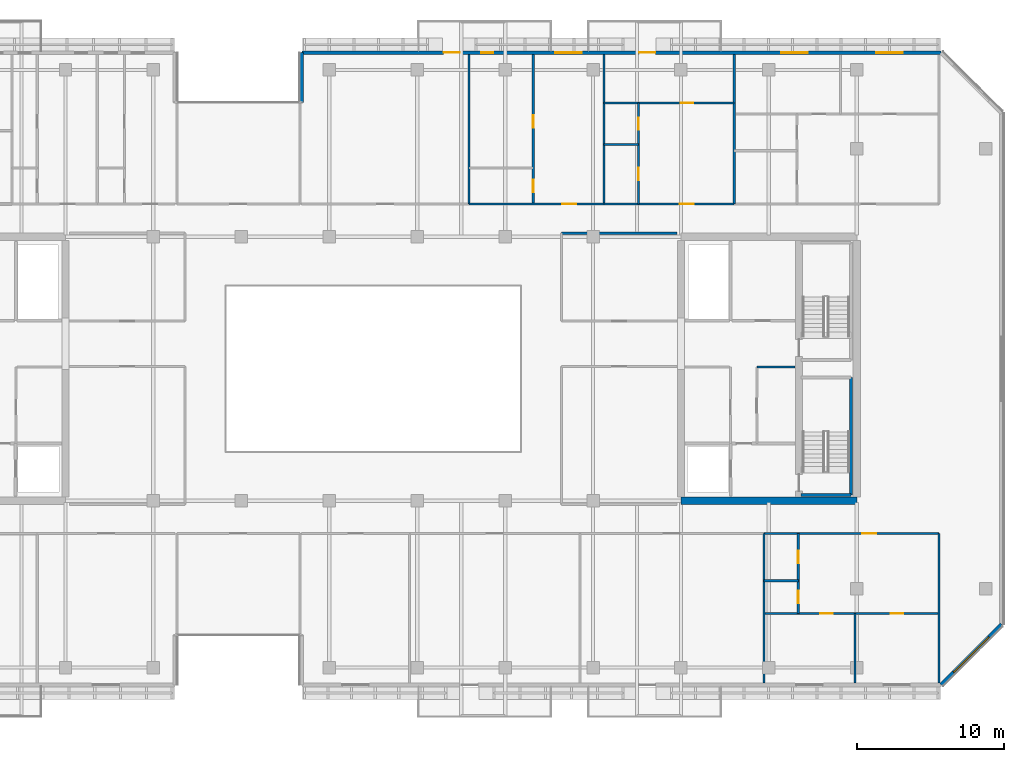
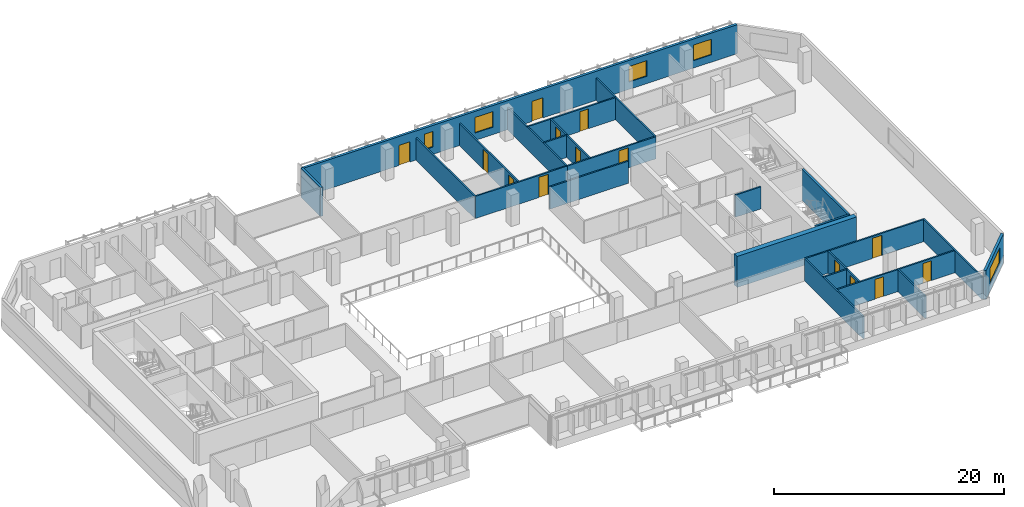
# One storey, part 12 of 19: 24 walls, 14 doors, 5 windows, 19 openings.
"""IFC4 building model written with IfcOpenShell, lengths in metres."""

from ifc_helpers import new_model, si_unit, direction, frame, frame_2d, origin, place, context, subcontext, project, spatial, rectangle, extrude, material, layer, layer_set, type_object, element, fill, save


model = new_model("IFC4")

# Units and contexts
model_context = context("Model", 3, precision=1e-05, world=origin(), true_north=direction((0.0, 1.0)))
body_context = subcontext(model_context, "Body", "Model", "MODEL_VIEW")
ifc_project = project(units=[si_unit("LENGTHUNIT", "METRE"), si_unit("AREAUNIT", "SQUARE_METRE"), si_unit("VOLUMEUNIT", "CUBIC_METRE"), si_unit("PLANEANGLEUNIT", "RADIAN"), si_unit("MASSUNIT", "GRAM", prefix="KILO")], contexts=[model_context])

# Site, building, storey
site_placement = place(None, origin())
site = spatial("IfcSite", under=ifc_project, at=site_placement, CompositionType="ELEMENT")
building_placement = place(site_placement, origin())
building = spatial("IfcBuilding", under=site, at=building_placement, Name="Tanjung Sevakor Pilgrim Tower", CompositionType="ELEMENT")
storey_placement = place(building_placement, frame((0.0, 0.0, 155.10009765625)))
storey = spatial("IfcBuildingStorey", under=building, at=storey_placement, Name="L43", CompositionType="ELEMENT", Elevation=155.10009765625)

# Walls
ifc_material_1 = material(Name="Concrete C60/75", Category="concrete")
ifc_layer_1 = layer(ifc_material_1, 0.5)
ifc_layer_set_1 = layer_set([ifc_layer_1], Name="WALL-CW-500")
wall_type_1 = type_object("IfcWallType", Name="WALL-CW-500", PredefinedType="SHEAR", material=ifc_layer_set_1)
wall_1_placement = place(storey_placement, frame((78.0, 24.60009765625, 0.0), z_axis=(0.0, 0.0, 1.0), x_axis=(1.0, 0.0, 0.0)))
element("IfcWall", 1, at=wall_1_placement, inside=storey, type_object=wall_type_1, Name="L43 E Core South Shear Wall", PredefinedType="SHEAR", context=body_context, shape_type="SweptSolid", body=[
    extrude(rectangle(XDim=12.0, YDim=0.5, at=frame_2d((6.0, 0.0))), origin(), (0.0, 0.0, 1.0), 3.2998046875),
])
ifc_material_2 = material(Name="Concrete C40/50", Category="concrete")
ifc_layer_2 = layer(ifc_material_2, 0.14990234375)
ifc_layer_set_2 = layer_set([ifc_layer_2], Name="WT-COMP-150")
wall_type_2 = type_object("IfcWallType", Name="WT-COMP-150", PredefinedType="SOLIDWALL", material=ifc_layer_set_2)
wall_2_placement = place(storey_placement, frame((83.199951171875, 33.719970703125, 0.0), z_axis=(0.0, 0.0, 1.0), x_axis=(1.0, 0.0, 0.0)))
element("IfcWall", 2, at=wall_2_placement, inside=storey, type_object=wall_type_2, Name="L43 Partition IW-L43-012", PredefinedType="SOLIDWALL", context=body_context, shape_type="SweptSolid", body=[
    extrude(rectangle(XDim=2.580078125, YDim=0.14990234375, at=frame_2d((1.2900390625, 0.0))), origin(), (0.0, 0.0, 1.0), 2.35009765625),
])
wall_3_placement = place(storey_placement, frame((69.85009765625, 42.85009765625, 0.0), z_axis=(0.0, 0.0, 1.0), x_axis=(1.0, 0.0, 0.0)))
element("IfcWall", 3, at=wall_3_placement, inside=storey, type_object=wall_type_2, Name="L43 Partition IW-L43-029", PredefinedType="SOLIDWALL", context=body_context, shape_type="SweptSolid", body=[
    extrude(rectangle(XDim=7.8798828125, YDim=0.14990234375, at=frame_2d((3.93994140625, 0.0))), origin(), (0.0, 0.0, 1.0), 2.35009765625),
])
for number, where, z_axis, x_axis, name in (
    (4, (95.60009765625, 12.14990234375, 0.0), (0.0, 0.0, 1.0), (0.0, 1.0, 0.0), "L43 Partition IW-L43-041"),
    (5, (83.658203125, 12.14990234375, 0.0), (0.0, 0.0, 1.0), (0.0, 1.0, 0.0), "L43 Partition IW-L43-046"),
):
    element("IfcWall", number, at=place(storey_placement, frame(where, z_axis=z_axis, x_axis=x_axis)), inside=storey, type_object=wall_type_2, Name=name, PredefinedType="SOLIDWALL", context=body_context, shape_type="SweptSolid", body=[
        extrude(rectangle(XDim=10.2001953125, YDim=0.14990234375, at=frame_2d((5.10009765625, 0.0))), origin(), (0.0, 0.0, 1.0), 2.35009765625),
    ])

# Wall, opening, door
wall_4_placement = place(storey_placement, frame((83.658203125, 22.35009765625, 0.0), z_axis=(0.0, 0.0, 1.0), x_axis=(1.0, 0.0, 0.0)))
wall_4 = element("IfcWall", 6, at=wall_4_placement, inside=storey, type_object=wall_type_2, Name="L43 Partition IW-L43-052", PredefinedType="SOLIDWALL", context=body_context, shape_type="SweptSolid", body=[
    extrude(rectangle(XDim=11.94189453125, YDim=0.14990234375, at=frame_2d((5.970947265625, 0.0))), origin(), (0.0, 0.0, 1.0), 2.35009765625),
])
opening_1_placement = place(wall_4_placement, frame((6.7109375, 0.0, 0.0)))
opening_1 = element("IfcOpeningElement", 7, at=opening_1_placement, cuts=wall_4, Name="Opening ID-FD2", PredefinedType="OPENING", context=body_context, shape_type="SweptSolid", body=[
    extrude(rectangle(XDim=0.949951171875, YDim=2.14990234375, at=frame_2d((0.47509765625, 1.074951171875))), frame((0.0, 0.0849609375, 0.0), z_axis=(0.0, -1.0, 0.0), x_axis=(1.0, 0.0, 0.0)), (0.0, 0.0, 1.0), 0.169921875),
])
ifc_material_3 = material(Name="Fire-Rated Timber", Category="wood")
door_type_1 = type_object("IfcDoorType", Name="DT-FIRE-950", OperationType="NOTDEFINED", PredefinedType="DOOR", material=ifc_material_3)
door_1_placement = place(opening_1_placement, origin())
door_1 = element("IfcDoor", 8, at=door_1_placement, inside=storey, type_object=door_type_1, Name="Suite Entrance", OperationType="SINGLE_SWING_LEFT", OverallHeight=2.14990234375, OverallWidth=0.949951171875, PredefinedType="DOOR", context=body_context, shape_type="SweptSolid", body=[
    extrude(rectangle(XDim=0.949951171875, YDim=2.14990234375, at=frame_2d((0.47509765625, 1.074951171875))), frame((0.0, 0.02490234375, 0.0), z_axis=(0.0, -1.0, 0.0), x_axis=(1.0, 0.0, 0.0)), (0.0, 0.0, 1.0), 0.050048828125),
])
fill(opening_1, door_1)

# Walls
for number, where, z_axis, x_axis, name in (
    (9, (63.54541015625, 44.85009765625, 0.0), (0.0, 0.0, 1.0), (0.0, 1.0, 0.0), "L43 Partition IW-L43-068"),
    (10, (72.749267578125, 44.85009765625, 0.0), (0.0, 0.0, 1.0), (0.0, 1.0, 0.0), "L43 Partition IW-L43-070"),
):
    element("IfcWall", number, at=place(storey_placement, frame(where, z_axis=z_axis, x_axis=x_axis)), inside=storey, type_object=wall_type_2, Name=name, PredefinedType="SOLIDWALL", context=body_context, shape_type="SweptSolid", body=[
        extrude(rectangle(XDim=10.199951171875, YDim=0.14990234375, at=frame_2d((5.10009765625, 0.0))), origin(), (0.0, 0.0, 1.0), 2.35009765625),
    ])

# Wall, opening, door
wall_5_placement = place(storey_placement, frame((63.54541015625, 44.85009765625, 0.0), z_axis=(0.0, 0.0, 1.0), x_axis=(1.0, 0.0, 0.0)))
wall_5 = element("IfcWall", 11, at=wall_5_placement, inside=storey, type_object=wall_type_2, Name="L43 Partition IW-L43-073", PredefinedType="SOLIDWALL", context=body_context, shape_type="SweptSolid", body=[
    extrude(rectangle(XDim=9.203857421875, YDim=0.14990234375, at=frame_2d((4.60205078125, 0.0))), origin(), (0.0, 0.0, 1.0), 2.35009765625),
])
opening_2_placement = place(wall_5_placement, frame((6.354248046875, 0.0, 0.0)))
opening_2 = element("IfcOpeningElement", 12, at=opening_2_placement, cuts=wall_5, Name="Opening ID-FD2", PredefinedType="OPENING", context=body_context, shape_type="SweptSolid", body=[
    extrude(rectangle(XDim=0.949951171875, YDim=2.14990234375, at=frame_2d((0.47509765625, 1.074951171875))), frame((0.0, 0.0849609375, 0.0), z_axis=(0.0, -1.0, 0.0), x_axis=(1.0, 0.0, 0.0)), (0.0, 0.0, 1.0), 0.169921875),
])
door_2_placement = place(opening_2_placement, origin())
door_2 = element("IfcDoor", 13, at=door_2_placement, inside=storey, type_object=door_type_1, Name="Hostel Quad Entrance", OperationType="SINGLE_SWING_RIGHT", OverallHeight=2.14990234375, OverallWidth=0.949951171875, PredefinedType="DOOR", context=body_context, shape_type="SweptSolid", body=[
    extrude(rectangle(XDim=0.949951171875, YDim=2.14990234375, at=frame_2d((0.47509765625, 1.074951171875))), frame((0.0, 0.02490234375, 0.0), z_axis=(0.0, -1.0, 0.0), x_axis=(1.0, 0.0, 0.0)), (0.0, 0.0, 1.0), 0.050048828125),
])
fill(opening_2, door_2)

# Wall
wall_6_placement = place(storey_placement, frame((81.635498046875, 44.85009765625, 0.0), z_axis=(0.0, 0.0, 1.0), x_axis=(0.0, 1.0, 0.0)))
element("IfcWall", 14, at=wall_6_placement, inside=storey, type_object=wall_type_2, Name="L43 Partition IW-L43-074", PredefinedType="SOLIDWALL", context=body_context, shape_type="SweptSolid", body=[
    extrude(rectangle(XDim=10.199951171875, YDim=0.14990234375, at=frame_2d((5.10009765625, 0.0))), origin(), (0.0, 0.0, 1.0), 2.35009765625),
])

# Wall, opening, door
wall_7_placement = place(storey_placement, frame((72.749267578125, 44.85009765625, 0.0), z_axis=(0.0, 0.0, 1.0), x_axis=(1.0, 0.0, 0.0)))
wall_7 = element("IfcWall", 15, at=wall_7_placement, inside=storey, type_object=wall_type_2, Name="L43 Partition IW-L43-078", PredefinedType="SOLIDWALL", context=body_context, shape_type="SweptSolid", body=[
    extrude(rectangle(XDim=8.88623046875, YDim=0.14990234375, at=frame_2d((4.443115234375, 0.0))), origin(), (0.0, 0.0, 1.0), 2.35009765625),
])
opening_3_placement = place(wall_7_placement, frame((5.18310546875, 0.0, 0.0)))
opening_3 = element("IfcOpeningElement", 16, at=opening_3_placement, cuts=wall_7, Name="Opening ID-FD2", PredefinedType="OPENING", context=body_context, shape_type="SweptSolid", body=[
    extrude(rectangle(XDim=0.949951171875, YDim=2.14990234375, at=frame_2d((0.47509765625, 1.074951171875))), frame((0.0, 0.0849609375, 0.0), z_axis=(0.0, -1.0, 0.0), x_axis=(1.0, 0.0, 0.0)), (0.0, 0.0, 1.0), 0.169921875),
])
door_3_placement = place(opening_3_placement, origin())
door_3 = element("IfcDoor", 17, at=door_3_placement, inside=storey, type_object=door_type_1, Name="Residence Entrance", OperationType="SINGLE_SWING_RIGHT", OverallHeight=2.14990234375, OverallWidth=0.949951171875, PredefinedType="DOOR", context=body_context, shape_type="SweptSolid", body=[
    extrude(rectangle(XDim=0.949951171875, YDim=2.14990234375, at=frame_2d((0.47509765625, 1.074951171875))), frame((0.0, 0.02490234375, 0.0), z_axis=(0.0, -1.0, 0.0), x_axis=(1.0, 0.0, 0.0)), (0.0, 0.0, 1.0), 0.050048828125),
])
fill(opening_3, door_3)

# Wall, opening, window
ifc_material_4 = material(Name="Precast concrete C45/55", Category="concrete")
ifc_layer_3 = layer(ifc_material_4, 0.25)
ifc_layer_set_3 = layer_set([ifc_layer_3], Name="WT-EW-STN3")
wall_type_3 = type_object("IfcWallType", Name="WT-EW-STN3", PredefinedType="SOLIDWALL", material=ifc_layer_set_3)
wall_8_placement = place(storey_placement, frame((95.748291015625, 12.02490234375, 0.0), z_axis=(0.0, 0.0, 1.0), x_axis=(0.70708586489, 0.707127696864, 0.0)))
wall_8 = element("IfcWall", 18, at=wall_8_placement, inside=storey, type_object=wall_type_3, Name="L43 MAIN Sculpted Corner Wall 5", PredefinedType="SOLIDWALL", context=body_context, shape_type="SweptSolid", body=[
    extrude(rectangle(XDim=5.836181640625, YDim=0.25, at=frame_2d((2.91796875, 0.0))), origin(), (0.0, 0.0, 1.0), 3.080078125),
])
opening_4_placement = place(wall_8_placement, frame((1.218017578125, 0.0, 0.780029296875)))
opening_4 = element("IfcOpeningElement", 19, at=opening_4_placement, cuts=wall_8, Name="Opening WN-CHM-1660", PredefinedType="OPENING", context=body_context, shape_type="SweptSolid", body=[
    extrude(rectangle(XDim=3.39990234375, YDim=1.659912109375, at=frame_2d((1.699951171875, 0.830078125))), frame((0.0, 0.135009765625, 0.0), z_axis=(0.0, -1.0, 0.0), x_axis=(1.0, 0.0, 0.0)), (0.0, 0.0, 1.0), 0.27001953125),
])
ifc_material_5 = material(Name="Thermally Broken Aluminium and Low-E Glass", Category="aluminium")
window_type_1 = type_object("IfcWindowType", Name="WTYP-WN-CHM-1660", PartitioningType="DOUBLE_PANEL_VERTICAL", PredefinedType="WINDOW", material=ifc_material_5)
window_1_placement = place(opening_4_placement, origin())
window_1 = element("IfcWindow", 20, at=window_1_placement, inside=storey, type_object=window_type_1, Name="L43 Facade Window 01", OverallHeight=1.659912109375, OverallWidth=3.39990234375, PartitioningType="SINGLE_PANEL", PredefinedType="WINDOW", context=body_context, shape_type="SweptSolid", body=[
    extrude(rectangle(XDim=3.39990234375, YDim=1.659912109375, at=frame_2d((1.699951171875, 0.830078125))), frame((0.0, 0.030029296875, 0.0), z_axis=(0.0, -1.0, 0.0), x_axis=(1.0, 0.0, 0.0)), (0.0, 0.0, 1.0), 0.06005859375),
])
fill(opening_4, window_1)

# Wall, openings, doors, windows
wall_9_placement = place(storey_placement, frame((95.748291015625, 55.175048828125, 0.0), z_axis=(0.0, 0.0, 1.0), x_axis=(-1.0, 0.0, 0.0)))
wall_9 = element("IfcWall", 21, at=wall_9_placement, inside=storey, type_object=wall_type_3, Name="L43 MAIN Exterior Wall 9", PredefinedType="SOLIDWALL", context=body_context, shape_type="SweptSolid", body=[
    extrude(rectangle(XDim=43.623291015625, YDim=0.25, at=frame_2d((21.8115234375, 0.0))), origin(), (0.0, 0.0, 1.0), 3.080078125),
])
opening_5_placement = place(wall_9_placement, frame((32.84814453125, 0.0, 0.0)))
opening_5 = element("IfcOpeningElement", 22, at=opening_5_placement, cuts=wall_9, Name="Opening ED-BAL-1100", PredefinedType="OPENING", context=body_context, shape_type="SweptSolid", body=[
    extrude(rectangle(XDim=1.10009765625, YDim=2.14990234375, at=frame_2d((0.550048828125, 1.074951171875))), frame((0.0, 0.135009765625, 0.0), z_axis=(0.0, -1.0, 0.0), x_axis=(1.0, 0.0, 0.0)), (0.0, 0.0, 1.0), 0.27001953125),
])
opening_6_placement = place(wall_9_placement, frame((19.498291015625, 0.0, 0.0)))
opening_6 = element("IfcOpeningElement", 23, at=opening_6_placement, cuts=wall_9, Name="Opening ED-BAL-1100", PredefinedType="OPENING", context=body_context, shape_type="SweptSolid", body=[
    extrude(rectangle(XDim=1.10009765625, YDim=2.14990234375, at=frame_2d((0.550048828125, 1.074951171875))), frame((0.0, 0.135009765625, 0.0), z_axis=(0.0, -1.0, 0.0), x_axis=(1.0, 0.0, 0.0)), (0.0, 0.0, 1.0), 0.27001953125),
])
opening_7_placement = place(wall_9_placement, frame((30.54052734375, 0.0, 0.780029296875)))
opening_7 = element("IfcOpeningElement", 24, at=opening_7_placement, cuts=wall_9, Name="Opening WN-SLM", PredefinedType="OPENING", context=body_context, shape_type="SweptSolid", body=[
    extrude(rectangle(XDim=0.85009765625, YDim=1.64990234375, at=frame_2d((0.425048828125, 0.824951171875))), frame((0.0, 0.135009765625, 0.0), z_axis=(0.0, -1.0, 0.0), x_axis=(1.0, 0.0, 0.0)), (0.0, 0.0, 1.0), 0.27001953125),
])
opening_8_placement = place(wall_9_placement, frame((24.523681640625, 0.0, 0.780029296875)))
opening_8 = element("IfcOpeningElement", 25, at=opening_8_placement, cuts=wall_9, Name="Opening WN-Z3-1660", PredefinedType="OPENING", context=body_context, shape_type="SweptSolid", body=[
    extrude(rectangle(XDim=1.800048828125, YDim=1.659912109375, at=frame_2d((0.89990234375, 0.830078125))), frame((0.0, 0.135009765625, 0.0), z_axis=(0.0, -1.0, 0.0), x_axis=(1.0, 0.0, 0.0)), (0.0, 0.0, 1.0), 0.27001953125),
])
opening_9_placement = place(wall_9_placement, frame((9.091796875, 0.0, 0.780029296875)))
opening_9 = element("IfcOpeningElement", 26, at=opening_9_placement, cuts=wall_9, Name="Opening WN-Z3-1660", PredefinedType="OPENING", context=body_context, shape_type="SweptSolid", body=[
    extrude(rectangle(XDim=1.800048828125, YDim=1.659912109375, at=frame_2d((0.89990234375, 0.830078125))), frame((0.0, 0.135009765625, 0.0), z_axis=(0.0, -1.0, 0.0), x_axis=(1.0, 0.0, 0.0)), (0.0, 0.0, 1.0), 0.27001953125),
])
opening_10_placement = place(wall_9_placement, frame((2.609619140625, 0.0, 0.780029296875)))
opening_10 = element("IfcOpeningElement", 27, at=opening_10_placement, cuts=wall_9, Name="Opening WN-Z3-1660", PredefinedType="OPENING", context=body_context, shape_type="SweptSolid", body=[
    extrude(rectangle(XDim=1.800048828125, YDim=1.659912109375, at=frame_2d((0.89990234375, 0.830078125))), frame((0.0, 0.135009765625, 0.0), z_axis=(0.0, -1.0, 0.0), x_axis=(1.0, 0.0, 0.0)), (0.0, 0.0, 1.0), 0.27001953125),
])
ifc_material_6 = material(Name="Anodised Aluminium and Laminated Glass", Category="aluminium")
door_type_2 = type_object("IfcDoorType", Name="DTYP-ED-BAL-1100", OperationType="NOTDEFINED", PredefinedType="DOOR", material=ifc_material_6)
door_4_placement = place(opening_5_placement, frame((1.10009765625, 0.0, 0.0), z_axis=(0.0, 0.0, 1.0), x_axis=(-1.0, 0.0, 0.0)))
door_4 = element("IfcDoor", 28, at=door_4_placement, inside=storey, type_object=door_type_2, Name="L43 Balcony Door MAIN-N2", OperationType="SINGLE_SWING_LEFT", OverallHeight=2.14990234375, OverallWidth=1.10009765625, PredefinedType="DOOR", context=body_context, shape_type="SweptSolid", body=[
    extrude(rectangle(XDim=1.10009765625, YDim=2.14990234375, at=frame_2d((0.550048828125, 1.074951171875))), frame((0.0, 0.02490234375, 0.0), z_axis=(0.0, -1.0, 0.0), x_axis=(1.0, 0.0, 0.0)), (0.0, 0.0, 1.0), 0.050048828125),
])
fill(opening_5, door_4)
door_5_placement = place(opening_6_placement, frame((1.10009765625, 0.0, 0.0), z_axis=(0.0, 0.0, 1.0), x_axis=(-1.0, 0.0, 0.0)))
door_5 = element("IfcDoor", 29, at=door_5_placement, inside=storey, type_object=door_type_2, Name="L43 Balcony Door MAIN-N3", OperationType="SINGLE_SWING_RIGHT", OverallHeight=2.14990234375, OverallWidth=1.10009765625, PredefinedType="DOOR", context=body_context, shape_type="SweptSolid", body=[
    extrude(rectangle(XDim=1.10009765625, YDim=2.14990234375, at=frame_2d((0.550048828125, 1.074951171875))), frame((0.0, 0.02490234375, 0.0), z_axis=(0.0, -1.0, 0.0), x_axis=(1.0, 0.0, 0.0)), (0.0, 0.0, 1.0), 0.050048828125),
])
fill(opening_6, door_5)
ifc_material_7 = material(Name="Thermally Broken Aluminium and Low-E Glass", Category="aluminium")
window_type_2 = type_object("IfcWindowType", Name="WTYP-WN-SLM", PartitioningType="SINGLE_PANEL", PredefinedType="WINDOW", material=ifc_material_7)
window_2_placement = place(opening_7_placement, origin())
window_2 = element("IfcWindow", 30, at=window_2_placement, inside=storey, type_object=window_type_2, Name="L43 Facade Window 01", OverallHeight=1.64990234375, OverallWidth=0.85009765625, PartitioningType="SINGLE_PANEL", PredefinedType="WINDOW", context=body_context, shape_type="SweptSolid", body=[
    extrude(rectangle(XDim=0.85009765625, YDim=1.64990234375, at=frame_2d((0.425048828125, 0.824951171875))), frame((0.0, 0.030029296875, 0.0), z_axis=(0.0, -1.0, 0.0), x_axis=(1.0, 0.0, 0.0)), (0.0, 0.0, 1.0), 0.06005859375),
])
fill(opening_7, window_2)
ifc_material_8 = material(Name="Thermally Broken Aluminium and Low-E Glass", Category="aluminium")
window_type_3 = type_object("IfcWindowType", Name="WTYP-WN-Z3-1660", PartitioningType="DOUBLE_PANEL_VERTICAL", PredefinedType="WINDOW", material=ifc_material_8)
window_3_placement = place(opening_8_placement, origin())
window_3 = element("IfcWindow", 31, at=window_3_placement, inside=storey, type_object=window_type_3, Name="L43 Facade Window 02", OverallHeight=1.659912109375, OverallWidth=1.800048828125, PartitioningType="SINGLE_PANEL", PredefinedType="WINDOW", context=body_context, shape_type="SweptSolid", body=[
    extrude(rectangle(XDim=1.800048828125, YDim=1.659912109375, at=frame_2d((0.89990234375, 0.830078125))), frame((0.0, 0.030029296875, 0.0), z_axis=(0.0, -1.0, 0.0), x_axis=(1.0, 0.0, 0.0)), (0.0, 0.0, 1.0), 0.06005859375),
])
fill(opening_8, window_3)
window_4_placement = place(opening_9_placement, origin())
window_4 = element("IfcWindow", 32, at=window_4_placement, inside=storey, type_object=window_type_3, Name="L43 Facade Window 03", OverallHeight=1.659912109375, OverallWidth=1.800048828125, PartitioningType="SINGLE_PANEL", PredefinedType="WINDOW", context=body_context, shape_type="SweptSolid", body=[
    extrude(rectangle(XDim=1.800048828125, YDim=1.659912109375, at=frame_2d((0.89990234375, 0.830078125))), frame((0.0, 0.030029296875, 0.0), z_axis=(0.0, -1.0, 0.0), x_axis=(1.0, 0.0, 0.0)), (0.0, 0.0, 1.0), 0.06005859375),
])
fill(opening_9, window_4)
window_5_placement = place(opening_10_placement, origin())
window_5 = element("IfcWindow", 33, at=window_5_placement, inside=storey, type_object=window_type_3, Name="L43 Facade Window 04", OverallHeight=1.659912109375, OverallWidth=1.800048828125, PartitioningType="SINGLE_PANEL", PredefinedType="WINDOW", context=body_context, shape_type="SweptSolid", body=[
    extrude(rectangle(XDim=1.800048828125, YDim=1.659912109375, at=frame_2d((0.89990234375, 0.830078125))), frame((0.0, 0.030029296875, 0.0), z_axis=(0.0, -1.0, 0.0), x_axis=(1.0, 0.0, 0.0)), (0.0, 0.0, 1.0), 0.06005859375),
])
fill(opening_10, window_5)

# Walls
wall_10_placement = place(storey_placement, frame((52.125, 55.175048828125, 0.0), z_axis=(0.0, 0.0, 1.0), x_axis=(0.0, -1.0, 0.0)))
element("IfcWall", 34, at=wall_10_placement, inside=storey, type_object=wall_type_3, Name="L43 MAIN Exterior Wall 10", PredefinedType="SOLIDWALL", context=body_context, shape_type="SweptSolid", body=[
    extrude(rectangle(XDim=3.400146484375, YDim=0.25, at=frame_2d((1.7001953125, 0.0))), origin(), (0.0, 0.0, 1.0), 3.080078125),
])
ifc_material_9 = material(Name="Concrete C40/50", Category="concrete")
ifc_layer_4 = layer(ifc_material_9, 0.199951171875)
ifc_layer_set_4 = layer_set([ifc_layer_4], Name="WT-FIRE-200")
wall_type_4 = type_object("IfcWallType", Name="WT-FIRE-200", PredefinedType="SOLIDWALL", material=ifc_layer_set_4)
wall_11_placement = place(storey_placement, frame((86.199951171875, 25.0, 0.0), z_axis=(0.0, 0.0, 1.0), x_axis=(1.0, 0.0, 0.0)))
element("IfcWall", 35, at=wall_11_placement, inside=storey, type_object=wall_type_4, Name="L43 TS-E1 Shaft Wall 1", PredefinedType="SOLIDWALL", context=body_context, shape_type="SweptSolid", body=[
    extrude(rectangle(XDim=3.400146484375, YDim=0.199951171875, at=frame_2d((1.7001953125, 0.0))), origin(), (0.0, 0.0, 1.0), 3.2998046875),
])
wall_12_placement = place(storey_placement, frame((89.60009765625, 25.0, 0.0), z_axis=(0.0, 0.0, 1.0), x_axis=(0.0, 1.0, 0.0)))
element("IfcWall", 36, at=wall_12_placement, inside=storey, type_object=wall_type_4, Name="L43 TS-E1 Shaft Wall 2", PredefinedType="SOLIDWALL", context=body_context, shape_type="SweptSolid", body=[
    extrude(rectangle(XDim=8.0, YDim=0.199951171875, at=frame_2d((4.0, 0.0))), origin(), (0.0, 0.0, 1.0), 3.2998046875),
])
ifc_material_10 = material(Name="Gypsum Board Partition", Category="gypsum board")
ifc_layer_5 = layer(ifc_material_10, 0.14990234375)
ifc_layer_set_5 = layer_set([ifc_layer_5], Name="WT-PART-150")
wall_type_5 = type_object("IfcWallType", Name="WT-PART-150", PredefinedType="PARTITIONING", material=ifc_layer_set_5)
wall_13_placement = place(storey_placement, frame((83.658203125, 19.135009765625, 0.0), z_axis=(0.0, 0.0, 1.0), x_axis=(1.0, 0.0, 0.0)))
element("IfcWall", 37, at=wall_13_placement, inside=storey, type_object=wall_type_5, Name="L43 Partition IW-L43-048", PredefinedType="PARTITIONING", context=body_context, shape_type="SweptSolid", body=[
    extrude(rectangle(XDim=2.35009765625, YDim=0.14990234375, at=frame_2d((1.175048828125, 0.0))), origin(), (0.0, 0.0, 1.0), 2.35009765625),
])

# Wall, openings, doors
wall_14_placement = place(storey_placement, frame((86.00830078125, 16.900634765625, 0.0), z_axis=(0.0, 0.0, 1.0), x_axis=(0.0, 1.0, 0.0)))
wall_14 = element("IfcWall", 38, at=wall_14_placement, inside=storey, type_object=wall_type_5, Name="L43 Partition IW-L43-049", PredefinedType="PARTITIONING", context=body_context, shape_type="SweptSolid", body=[
    extrude(rectangle(XDim=5.449462890625, YDim=0.14990234375, at=frame_2d((2.724609375, 0.0))), origin(), (0.0, 0.0, 1.0), 2.35009765625),
])
opening_11_placement = place(wall_14_placement, frame((0.692138671875, 0.0, 0.0)))
opening_11 = element("IfcOpeningElement", 39, at=opening_11_placement, cuts=wall_14, Name="Opening ID-WC1", PredefinedType="OPENING", context=body_context, shape_type="SweptSolid", body=[
    extrude(rectangle(XDim=0.85009765625, YDim=2.10009765625, at=frame_2d((0.425048828125, 1.050048828125))), frame((0.0, 0.0849609375, 0.0), z_axis=(0.0, -1.0, 0.0), x_axis=(1.0, 0.0, 0.0)), (0.0, 0.0, 1.0), 0.169921875),
])
opening_12_placement = place(wall_14_placement, frame((3.416748046875, 0.0, 0.0)))
opening_12 = element("IfcOpeningElement", 40, at=opening_12_placement, cuts=wall_14, Name="Opening ID-WC1", PredefinedType="OPENING", context=body_context, shape_type="SweptSolid", body=[
    extrude(rectangle(XDim=0.85009765625, YDim=2.10009765625, at=frame_2d((0.425048828125, 1.050048828125))), frame((0.0, 0.0849609375, 0.0), z_axis=(0.0, -1.0, 0.0), x_axis=(1.0, 0.0, 0.0)), (0.0, 0.0, 1.0), 0.169921875),
])
ifc_material_11 = material(Name="Moisture-Resistant Timber", Category="wood")
door_type_3 = type_object("IfcDoorType", Name="DT-INT-850", OperationType="NOTDEFINED", PredefinedType="DOOR", material=ifc_material_11)
door_6_placement = place(opening_11_placement, origin())
door_6 = element("IfcDoor", 41, at=door_6_placement, inside=storey, type_object=door_type_3, Name="Suite Bathroom Door", OperationType="SINGLE_SWING_LEFT", OverallHeight=2.10009765625, OverallWidth=0.85009765625, PredefinedType="DOOR", context=body_context, shape_type="SweptSolid", body=[
    extrude(rectangle(XDim=0.85009765625, YDim=2.10009765625, at=frame_2d((0.425048828125, 1.050048828125))), frame((0.0, 0.02490234375, 0.0), z_axis=(0.0, -1.0, 0.0), x_axis=(1.0, 0.0, 0.0)), (0.0, 0.0, 1.0), 0.050048828125),
])
fill(opening_11, door_6)
door_7_placement = place(opening_12_placement, origin())
door_7 = element("IfcDoor", 42, at=door_7_placement, inside=storey, type_object=door_type_3, Name="Suite Kitchenette Door", OperationType="SINGLE_SWING_RIGHT", OverallHeight=2.10009765625, OverallWidth=0.85009765625, PredefinedType="DOOR", context=body_context, shape_type="SweptSolid", body=[
    extrude(rectangle(XDim=0.85009765625, YDim=2.10009765625, at=frame_2d((0.425048828125, 1.050048828125))), frame((0.0, 0.02490234375, 0.0), z_axis=(0.0, -1.0, 0.0), x_axis=(1.0, 0.0, 0.0)), (0.0, 0.0, 1.0), 0.050048828125),
])
fill(opening_12, door_7)

# Wall
wall_15_placement = place(storey_placement, frame((89.867919921875, 12.14990234375, 0.0), z_axis=(0.0, 0.0, 1.0), x_axis=(0.0, 1.0, 0.0)))
element("IfcWall", 43, at=wall_15_placement, inside=storey, type_object=wall_type_5, Name="L43 Partition IW-L43-050", PredefinedType="PARTITIONING", context=body_context, shape_type="SweptSolid", body=[
    extrude(rectangle(XDim=4.750732421875, YDim=0.14990234375, at=frame_2d((2.37548828125, 0.0))), origin(), (0.0, 0.0, 1.0), 2.35009765625),
])

# Wall, openings, doors
wall_16_placement = place(storey_placement, frame((83.658203125, 16.900634765625, 0.0), z_axis=(0.0, 0.0, 1.0), x_axis=(1.0, 0.0, 0.0)))
wall_16 = element("IfcWall", 44, at=wall_16_placement, inside=storey, type_object=wall_type_5, Name="L43 Partition IW-L43-051", PredefinedType="PARTITIONING", context=body_context, shape_type="SweptSolid", body=[
    extrude(rectangle(XDim=11.94189453125, YDim=0.14990234375, at=frame_2d((5.970947265625, 0.0))), origin(), (0.0, 0.0, 1.0), 2.35009765625),
])
opening_13_placement = place(wall_16_placement, frame((3.85498046875, 0.0, 0.0)))
opening_13 = element("IfcOpeningElement", 45, at=opening_13_placement, cuts=wall_16, Name="Opening ID-WC1", PredefinedType="OPENING", context=body_context, shape_type="SweptSolid", body=[
    extrude(rectangle(XDim=0.85009765625, YDim=2.10009765625, at=frame_2d((0.425048828125, 1.050048828125))), frame((0.0, 0.0849609375, 0.0), z_axis=(0.0, -1.0, 0.0), x_axis=(1.0, 0.0, 0.0)), (0.0, 0.0, 1.0), 0.169921875),
])
opening_14_placement = place(wall_16_placement, frame((8.650634765625, 0.0, 0.0)))
opening_14 = element("IfcOpeningElement", 46, at=opening_14_placement, cuts=wall_16, Name="Opening ID-WC1", PredefinedType="OPENING", context=body_context, shape_type="SweptSolid", body=[
    extrude(rectangle(XDim=0.85009765625, YDim=2.10009765625, at=frame_2d((0.425048828125, 1.050048828125))), frame((0.0, 0.0849609375, 0.0), z_axis=(0.0, -1.0, 0.0), x_axis=(1.0, 0.0, 0.0)), (0.0, 0.0, 1.0), 0.169921875),
])
door_8_placement = place(opening_13_placement, origin())
door_8 = element("IfcDoor", 47, at=door_8_placement, inside=storey, type_object=door_type_3, Name="Suite Bedroom 1 Door", OperationType="SINGLE_SWING_LEFT", OverallHeight=2.10009765625, OverallWidth=0.85009765625, PredefinedType="DOOR", context=body_context, shape_type="SweptSolid", body=[
    extrude(rectangle(XDim=0.85009765625, YDim=2.10009765625, at=frame_2d((0.425048828125, 1.050048828125))), frame((0.0, 0.02490234375, 0.0), z_axis=(0.0, -1.0, 0.0), x_axis=(1.0, 0.0, 0.0)), (0.0, 0.0, 1.0), 0.050048828125),
])
fill(opening_13, door_8)
door_9_placement = place(opening_14_placement, origin())
door_9 = element("IfcDoor", 48, at=door_9_placement, inside=storey, type_object=door_type_3, Name="Suite Bedroom 2 Door", OperationType="SINGLE_SWING_RIGHT", OverallHeight=2.10009765625, OverallWidth=0.85009765625, PredefinedType="DOOR", context=body_context, shape_type="SweptSolid", body=[
    extrude(rectangle(XDim=0.85009765625, YDim=2.10009765625, at=frame_2d((0.425048828125, 1.050048828125))), frame((0.0, 0.02490234375, 0.0), z_axis=(0.0, -1.0, 0.0), x_axis=(1.0, 0.0, 0.0)), (0.0, 0.0, 1.0), 0.050048828125),
])
fill(opening_14, door_9)

wall_17_placement = place(storey_placement, frame((67.919921875, 44.85009765625, 0.0), z_axis=(0.0, 0.0, 1.0), x_axis=(0.0, 1.0, 0.0)))
wall_17 = element("IfcWall", 49, at=wall_17_placement, inside=storey, type_object=wall_type_5, Name="L43 Partition IW-L43-072", PredefinedType="PARTITIONING", context=body_context, shape_type="SweptSolid", body=[
    extrude(rectangle(XDim=10.199951171875, YDim=0.14990234375, at=frame_2d((5.10009765625, 0.0))), origin(), (0.0, 0.0, 1.0), 2.35009765625),
])
opening_15_placement = place(wall_17_placement, frame((0.800048828125, 0.0, 0.0)))
opening_15 = element("IfcOpeningElement", 50, at=opening_15_placement, cuts=wall_17, Name="Opening ID-WC1", PredefinedType="OPENING", context=body_context, shape_type="SweptSolid", body=[
    extrude(rectangle(XDim=0.85009765625, YDim=2.10009765625, at=frame_2d((0.425048828125, 1.050048828125))), frame((0.0, 0.0849609375, 0.0), z_axis=(0.0, -1.0, 0.0), x_axis=(1.0, 0.0, 0.0)), (0.0, 0.0, 1.0), 0.169921875),
])
opening_16_placement = place(wall_17_placement, frame((5.2099609375, 0.0, 0.0)))
opening_16 = element("IfcOpeningElement", 51, at=opening_16_placement, cuts=wall_17, Name="Opening ID-WC1", PredefinedType="OPENING", context=body_context, shape_type="SweptSolid", body=[
    extrude(rectangle(XDim=0.85009765625, YDim=2.10009765625, at=frame_2d((0.425048828125, 1.050048828125))), frame((0.0, 0.0849609375, 0.0), z_axis=(0.0, -1.0, 0.0), x_axis=(1.0, 0.0, 0.0)), (0.0, 0.0, 1.0), 0.169921875),
])
door_10_placement = place(opening_15_placement, origin())
door_10 = element("IfcDoor", 52, at=door_10_placement, inside=storey, type_object=door_type_3, Name="Bathroom Door", OperationType="SINGLE_SWING_RIGHT", OverallHeight=2.10009765625, OverallWidth=0.85009765625, PredefinedType="DOOR", context=body_context, shape_type="SweptSolid", body=[
    extrude(rectangle(XDim=0.85009765625, YDim=2.10009765625, at=frame_2d((0.425048828125, 1.050048828125))), frame((0.0, 0.02490234375, 0.0), z_axis=(0.0, -1.0, 0.0), x_axis=(1.0, 0.0, 0.0)), (0.0, 0.0, 1.0), 0.050048828125),
])
fill(opening_15, door_10)
door_11_placement = place(opening_16_placement, origin())
door_11 = element("IfcDoor", 53, at=door_11_placement, inside=storey, type_object=door_type_3, Name="Study Nook Door", OperationType="SINGLE_SWING_LEFT", OverallHeight=2.10009765625, OverallWidth=0.85009765625, PredefinedType="DOOR", context=body_context, shape_type="SweptSolid", body=[
    extrude(rectangle(XDim=0.85009765625, YDim=2.10009765625, at=frame_2d((0.425048828125, 1.050048828125))), frame((0.0, 0.02490234375, 0.0), z_axis=(0.0, -1.0, 0.0), x_axis=(1.0, 0.0, 0.0)), (0.0, 0.0, 1.0), 0.050048828125),
])
fill(opening_16, door_11)

# Wall
wall_18_placement = place(storey_placement, frame((72.749267578125, 48.909423828125, 0.0), z_axis=(0.0, 0.0, 1.0), x_axis=(1.0, 0.0, 0.0)))
element("IfcWall", 54, at=wall_18_placement, inside=storey, type_object=wall_type_5, Name="L43 Partition IW-L43-075", PredefinedType="PARTITIONING", context=body_context, shape_type="SweptSolid", body=[
    extrude(rectangle(XDim=2.349853515625, YDim=0.14990234375, at=frame_2d((1.1748046875, 0.0))), origin(), (0.0, 0.0, 1.0), 2.35009765625),
])

# Wall, openings, doors
wall_19_placement = place(storey_placement, frame((75.09912109375, 44.85009765625, 0.0), z_axis=(0.0, 0.0, 1.0), x_axis=(0.0, 1.0, 0.0)))
wall_19 = element("IfcWall", 55, at=wall_19_placement, inside=storey, type_object=wall_type_5, Name="L43 Partition IW-L43-076", PredefinedType="PARTITIONING", context=body_context, shape_type="SweptSolid", body=[
    extrude(rectangle(XDim=6.880126953125, YDim=0.14990234375, at=frame_2d((3.43994140625, 0.0))), origin(), (0.0, 0.0, 1.0), 2.35009765625),
])
opening_17_placement = place(wall_19_placement, frame((1.604736328125, 0.0, 0.0)))
opening_17 = element("IfcOpeningElement", 56, at=opening_17_placement, cuts=wall_19, Name="Opening ID-WC1", PredefinedType="OPENING", context=body_context, shape_type="SweptSolid", body=[
    extrude(rectangle(XDim=0.85009765625, YDim=2.10009765625, at=frame_2d((0.425048828125, 1.050048828125))), frame((0.0, 0.0849609375, 0.0), z_axis=(0.0, -1.0, 0.0), x_axis=(1.0, 0.0, 0.0)), (0.0, 0.0, 1.0), 0.169921875),
])
opening_18_placement = place(wall_19_placement, frame((5.044921875, 0.0, 0.0)))
opening_18 = element("IfcOpeningElement", 57, at=opening_18_placement, cuts=wall_19, Name="Opening ID-WC1", PredefinedType="OPENING", context=body_context, shape_type="SweptSolid", body=[
    extrude(rectangle(XDim=0.85009765625, YDim=2.10009765625, at=frame_2d((0.425048828125, 1.050048828125))), frame((0.0, 0.0849609375, 0.0), z_axis=(0.0, -1.0, 0.0), x_axis=(1.0, 0.0, 0.0)), (0.0, 0.0, 1.0), 0.169921875),
])
door_12_placement = place(opening_17_placement, origin())
door_12 = element("IfcDoor", 58, at=door_12_placement, inside=storey, type_object=door_type_3, Name="Residence Kitchenette Door", OperationType="SINGLE_SWING_LEFT", OverallHeight=2.10009765625, OverallWidth=0.85009765625, PredefinedType="DOOR", context=body_context, shape_type="SweptSolid", body=[
    extrude(rectangle(XDim=0.85009765625, YDim=2.10009765625, at=frame_2d((0.425048828125, 1.050048828125))), frame((0.0, 0.02490234375, 0.0), z_axis=(0.0, -1.0, 0.0), x_axis=(1.0, 0.0, 0.0)), (0.0, 0.0, 1.0), 0.050048828125),
])
fill(opening_17, door_12)
door_13_placement = place(opening_18_placement, origin())
door_13 = element("IfcDoor", 59, at=door_13_placement, inside=storey, type_object=door_type_3, Name="Residence Bathroom Door", OperationType="SINGLE_SWING_RIGHT", OverallHeight=2.10009765625, OverallWidth=0.85009765625, PredefinedType="DOOR", context=body_context, shape_type="SweptSolid", body=[
    extrude(rectangle(XDim=0.85009765625, YDim=2.10009765625, at=frame_2d((0.425048828125, 1.050048828125))), frame((0.0, 0.02490234375, 0.0), z_axis=(0.0, -1.0, 0.0), x_axis=(1.0, 0.0, 0.0)), (0.0, 0.0, 1.0), 0.050048828125),
])
fill(opening_18, door_13)

# Wall, opening, door
wall_20_placement = place(storey_placement, frame((72.749267578125, 51.730224609375, 0.0), z_axis=(0.0, 0.0, 1.0), x_axis=(1.0, 0.0, 0.0)))
wall_20 = element("IfcWall", 60, at=wall_20_placement, inside=storey, type_object=wall_type_5, Name="L43 Partition IW-L43-077", PredefinedType="PARTITIONING", context=body_context, shape_type="SweptSolid", body=[
    extrude(rectangle(XDim=8.88623046875, YDim=0.14990234375, at=frame_2d((4.443115234375, 0.0))), origin(), (0.0, 0.0, 1.0), 2.35009765625),
])
opening_19_placement = place(wall_20_placement, frame((5.233154296875, 0.0, 0.0)))
opening_19 = element("IfcOpeningElement", 61, at=opening_19_placement, cuts=wall_20, Name="Opening ID-WC1", PredefinedType="OPENING", context=body_context, shape_type="SweptSolid", body=[
    extrude(rectangle(XDim=0.85009765625, YDim=2.10009765625, at=frame_2d((0.425048828125, 1.050048828125))), frame((0.0, 0.0849609375, 0.0), z_axis=(0.0, -1.0, 0.0), x_axis=(1.0, 0.0, 0.0)), (0.0, 0.0, 1.0), 0.169921875),
])
door_14_placement = place(opening_19_placement, origin())
door_14 = element("IfcDoor", 62, at=door_14_placement, inside=storey, type_object=door_type_3, Name="Residence Bedroom Door", OperationType="SINGLE_SWING_LEFT", OverallHeight=2.10009765625, OverallWidth=0.85009765625, PredefinedType="DOOR", context=body_context, shape_type="SweptSolid", body=[
    extrude(rectangle(XDim=0.85009765625, YDim=2.10009765625, at=frame_2d((0.425048828125, 1.050048828125))), frame((0.0, 0.02490234375, 0.0), z_axis=(0.0, -1.0, 0.0), x_axis=(1.0, 0.0, 0.0)), (0.0, 0.0, 1.0), 0.050048828125),
])
fill(opening_19, door_14)

save(model, "model.ifc")
